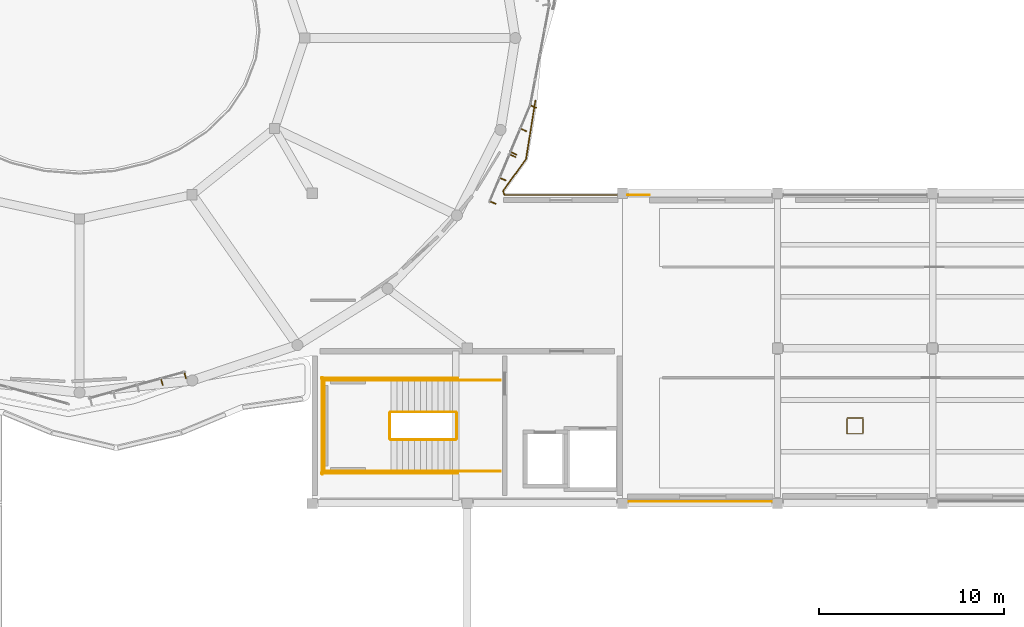
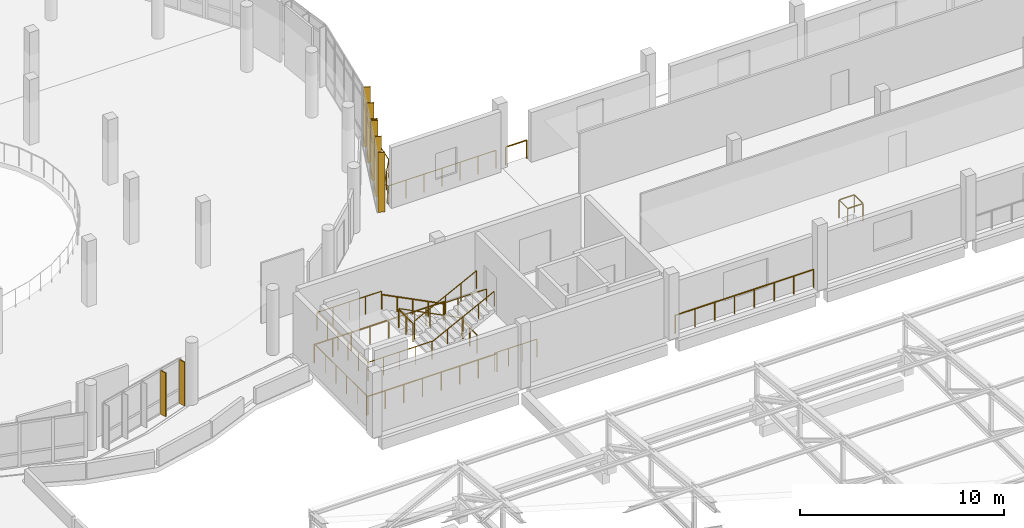
# One storey, part 67 of 74: 18 railings, 8 shading devices.
"""IFC4 building model written with IfcOpenShell, lengths in metres."""

import ifcopenshell
import ifcopenshell.guid

model = None  # the IFC model being written
_history = None  # IfcOwnerHistory: only IFC2X3 demands one
_inside = {}  # id of a spatial element -> (the spatial element, [elements in it])
_under = {}  # id of a project, library or spatial element -> (it, [spatial elements below it])
_declared = {}  # id of a project -> (the project, [libraries it declares])
_typed = {}  # id of a type object -> (the type object, [elements of that type])
_made_of = {}  # id of a material, layer set ... -> (it, [elements and type objects made of it])


def new_model(schema):
    """Start an empty IFC model of exactly this schema.

    Asked for "IFC4X3", IfcOpenShell would pick the latest addendum, in which some entities
    have other attributes; the version numbers below select the first issue.
    IFC2X3 requires an IfcOwnerHistory on every rooted entity: one is made here for all.
    """
    global model, _history
    if schema == "IFC4X3":
        model = ifcopenshell.file(schema_version=(4, 3, 0, 0))
    else:
        model = ifcopenshell.file(schema=schema)
    _inside.clear()
    _under.clear()
    _declared.clear()
    _typed.clear()
    _made_of.clear()
    _history = None
    if model.schema == "IFC2X3":
        org = make("IfcOrganization", Name="unknown")
        user = make(
            "IfcPersonAndOrganization",
            ThePerson=make("IfcPerson", FamilyName="unknown"),
            TheOrganization=org,
        )
        app = make(
            "IfcApplication",
            ApplicationDeveloper=org,
            Version="unknown",
            ApplicationFullName="unknown",
            ApplicationIdentifier="unknown",
        )
        _history = make(
            "IfcOwnerHistory",
            OwningUser=user,
            OwningApplication=app,
            ChangeAction="ADDED",
            CreationDate=0,
        )
    return model


def make(cls, **values):
    """One entity of the class cls with the attributes given. An attribute that is None is left unset."""
    return model.create_entity(
        cls, **{name: value for name, value in values.items() if value is not None}
    )


def rooted(cls, **values):
    """An entity with a GlobalId (a new one), such as an element, a storey or a relation."""
    return make(cls, GlobalId=ifcopenshell.guid.new(), OwnerHistory=_history, **values)


def si_unit(unit_type, name, prefix=None):
    """IfcSIUnit, for example si_unit("LENGTHUNIT", "METRE", prefix="MILLI")."""
    return make("IfcSIUnit", UnitType=unit_type, Prefix=prefix, Name=name)


def derived_unit(unit_type, elements):
    """IfcDerivedUnit: a product of units, each with its exponent."""
    return make(
        "IfcDerivedUnit",
        Elements=[
            make("IfcDerivedUnitElement", Unit=unit, Exponent=power)
            for unit, power in elements
        ],
        UnitType=unit_type,
    )


def assignment(units):
    """IfcUnitAssignment: the units of a project."""
    return None if units is None else make("IfcUnitAssignment", Units=units)


def point(xyz):
    """IfcCartesianPoint."""
    return None if xyz is None else make("IfcCartesianPoint", Coordinates=xyz)


def direction(xyz):
    """IfcDirection."""
    return None if xyz is None else make("IfcDirection", DirectionRatios=xyz)


def frame(location, z_axis=None, x_axis=None):
    """IfcAxis2Placement3D, a coordinate frame: its origin and axes. An axis left out is left unset."""
    return make(
        "IfcAxis2Placement3D",
        Location=point(location),
        Axis=direction(z_axis),
        RefDirection=direction(x_axis),
    )


def frame_2d(location, x_axis=None):
    """IfcAxis2Placement2D, a coordinate frame in the plane: its origin and x axis."""
    return make(
        "IfcAxis2Placement2D", Location=point(location), RefDirection=direction(x_axis)
    )


def origin():
    """The frame at (0, 0, 0) with its axes left unset."""
    return frame((0.0, 0.0, 0.0))


def origin_2d():
    """The frame at (0, 0) in the plane with its x axis left unset."""
    return frame_2d((0.0, 0.0))


def place(relative_to, where):
    """IfcLocalPlacement: puts the frame where relative to a parent placement (None: the world)."""
    return make(
        "IfcLocalPlacement", PlacementRelTo=relative_to, RelativePlacement=where
    )


def context(
    kind, dimensions, precision=None, world=None, true_north=None, identifier=None
):
    """IfcGeometricRepresentationContext, for example the 3D "Model" context."""
    return make(
        "IfcGeometricRepresentationContext",
        ContextIdentifier=identifier,
        ContextType=kind,
        CoordinateSpaceDimension=dimensions,
        Precision=precision,
        WorldCoordinateSystem=world,
        TrueNorth=true_north,
    )


def subcontext(parent, identifier, kind, view, scale=None):
    """IfcGeometricRepresentationSubContext, for example "Body" below "Model"."""
    return make(
        "IfcGeometricRepresentationSubContext",
        ContextIdentifier=identifier,
        ContextType=kind,
        ParentContext=parent,
        TargetScale=scale,
        TargetView=view,
    )


def project(units=None, contexts=None):
    """IfcProject with its units and contexts."""
    return rooted(
        "IfcProject",
        Name="project",
        RepresentationContexts=contexts,
        UnitsInContext=assignment(units),
    )


def spatial(cls, under=None, at=None, **own):
    """A site, building, storey or space (cls), placed at a placement, below another one or the project."""
    s = rooted(cls, ObjectPlacement=at, **own)
    if under is not None:
        _under.setdefault(under.id(), (under, []))[1].append(s)
    return s


def profile(cls, at=None, kind="AREA", **sizes):
    """A parametric profile (cls). Its sizes go by their IFC names, for example OverallWidth=200.0."""
    return make(cls, ProfileType=kind, Position=at, **sizes)


def rectangle(**sizes):
    """IfcRectangleProfileDef."""
    return profile("IfcRectangleProfileDef", **sizes)


def circle(**sizes):
    """IfcCircleProfileDef."""
    return profile("IfcCircleProfileDef", **sizes)


def extrude(swept, where, along, depth):
    """IfcExtrudedAreaSolid: the profile swept, set in the frame where, extruded along a direction by depth."""
    return make(
        "IfcExtrudedAreaSolid",
        SweptArea=swept,
        Position=where,
        ExtrudedDirection=direction(along),
        Depth=depth,
    )


def shape(context_of_items, identifier, shape_type, items):
    """IfcShapeRepresentation: the items that make up one representation, for example the "Body"."""
    return make(
        "IfcShapeRepresentation",
        ContextOfItems=context_of_items,
        RepresentationIdentifier=identifier,
        RepresentationType=shape_type,
        Items=items,
    )


def material(Name=None, Category=None):
    """IfcMaterial."""
    return make("IfcMaterial", Name=Name, Category=Category)


def made_of(thing, what):
    """Note that an element or type object is made of a material, layer set ...; save() writes the relation."""
    if what is not None:
        _made_of.setdefault(what.id(), (what, []))[1].append(thing)
    return thing


def type_object(cls, material=None, **own):
    """A type object (cls), such as IfcWallType, which elements share."""
    return made_of(rooted(cls, **own), material)


def element(
    cls,
    number,
    at=None,
    inside=None,
    cuts=None,
    type_object=None,
    material=None,
    context=None,
    identifier="Body",
    shape_type=None,
    held_by="IfcProductDefinitionShape",
    body=None,
    shapes=None,
    **own,
):
    """One element of the class cls, such as IfcWall. Its Tag is "e" and its number.

    at: its placement. inside: the storey or other place that contains it. cuts: it is an
    opening in that element (IfcRelVoidsElement). A single representation is given by context,
    identifier, shape_type and body (its items); several are given by shapes. held_by: the class
    of the entity that holds the representations. save() writes the other relations.
    """
    e = rooted(cls, Tag="e%d" % number, ObjectPlacement=at, **own)
    if body is not None:
        shapes = [shape(context, identifier, shape_type, body)]
    if shapes is not None:
        e.Representation = make(held_by, Representations=shapes)
    if inside is not None:
        _inside.setdefault(inside.id(), (inside, []))[1].append(e)
    if cuts is not None:
        rooted(
            "IfcRelVoidsElement", RelatingBuildingElement=cuts, RelatedOpeningElement=e
        )
    if type_object is not None:
        _typed.setdefault(type_object.id(), (type_object, []))[1].append(e)
    return made_of(e, material)


def aggregate(whole, parts):
    """IfcRelAggregates: a whole, such as a stair, and the parts it consists of."""
    return rooted("IfcRelAggregates", RelatingObject=whole, RelatedObjects=parts)


def save(model, path):
    """Write the relations noted so far, then the file.

    IfcRelAggregates (storeys below a building ...), IfcRelContainedInSpatialStructure (elements
    in a storey), IfcRelDefinesByType, IfcRelAssociatesMaterial and IfcRelDeclares: one each for
    every whole, place, type object, material and project.
    """
    for whole, parts in _under.values():
        aggregate(whole, parts)
    for where, things in _inside.values():
        rooted(
            "IfcRelContainedInSpatialStructure",
            RelatedElements=things,
            RelatingStructure=where,
        )
    for kind, things in _typed.values():
        rooted("IfcRelDefinesByType", RelatedObjects=things, RelatingType=kind)
    for what, things in _made_of.values():
        rooted("IfcRelAssociatesMaterial", RelatedObjects=things, RelatingMaterial=what)
    for by, libraries in _declared.values():
        rooted("IfcRelDeclares", RelatingContext=by, RelatedDefinitions=libraries)
    model.write(path)


model = new_model("IFC4")

# Units and contexts
model_context = context("Model", 3, precision=1e-05, world=origin(), true_north=direction((0.0, 1.0)))
body_context = subcontext(model_context, "Body", "Model", "MODEL_VIEW")
ifc_project = project(units=[si_unit("LENGTHUNIT", "METRE"), si_unit("AREAUNIT", "SQUARE_METRE"), si_unit("VOLUMEUNIT", "CUBIC_METRE"), si_unit("PLANEANGLEUNIT", "RADIAN"), si_unit("MASSUNIT", "GRAM", prefix="KILO"), derived_unit("THERMALTRANSMITTANCEUNIT", [(si_unit("POWERUNIT", "WATT"), 1), (si_unit("LENGTHUNIT", "METRE"), -2), (si_unit("THERMODYNAMICTEMPERATUREUNIT", "KELVIN"), -1)])], contexts=[model_context])

# Site, building, storey
site_placement = place(None, origin())
site = spatial("IfcSite", under=ifc_project, at=site_placement, CompositionType="ELEMENT")
building_placement = place(site_placement, origin())
building = spatial("IfcBuilding", under=site, at=building_placement, Name="Elbkamm Science Centre", CompositionType="ELEMENT")
storey_placement = place(building_placement, frame((0.0, 0.0, 14.39990234375)))
storey = spatial("IfcBuildingStorey", under=building, at=storey_placement, Name="L03", CompositionType="ELEMENT", Elevation=14.39990234375)

# Railings
ifc_material_1 = material(Name="Stainless steel EN 1.4401", Category="steel")
railing_type_1 = type_object("IfcRailingType", Name="RAIL-EXT-GUARD-1100", PredefinedType="GUARDRAIL", material=ifc_material_1)
railing_1_placement = place(storey_placement, frame((87.685791015625, 63.808349609375, 0.0)))
element("IfcRailing", 1, at=railing_1_placement, inside=storey, type_object=railing_type_1, Name="L03 Slab Edge Perimeter Guard 081", PredefinedType="GUARDRAIL", context=body_context, shape_type="SweptSolid", body=[
    extrude(circle(Radius=0.02392578125, at=origin_2d()), frame((0.0, 0.0, 1.078125), z_axis=(-0.157404246796, -0.987534254135, 0.0), x_axis=(0.987534254135, -0.157404246796, 0.0)), (0.0, 0.0, 1.0), 3.169921875),
    extrude(circle(Radius=0.02392578125, at=origin_2d()), frame((-0.521240234375, -3.184326171875, 1.078125), z_axis=(-0.584769979822, -0.811199156002, 0.0), x_axis=(0.811199156002, -0.584769979822, 0.0)), (0.0, 0.0, 1.0), 2.068359375),
    extrude(circle(Radius=0.02392578125, at=origin_2d()), frame((-1.73779296875, -4.91455078125, 1.078125), z_axis=(0.348523067901, -0.937300203319, 0.0), x_axis=(0.937300203319, 0.348523067901, 0.0)), (0.0, 0.0, 1.0), 0.1767578125),
    extrude(circle(Radius=0.02392578125, at=origin_2d()), frame((-1.6357421875, -5.1083984375, 1.078125), z_axis=(1.0, 0.0, 0.0), x_axis=(0.0, 1.0, 0.0)), (0.0, 0.0, 1.0), 6.070068359375),
    extrude(circle(Radius=0.02001953125, at=origin_2d()), origin(), (0.0, 0.0, 1.0), 1.048095703125),
    extrude(circle(Radius=0.02001953125, at=origin_2d()), frame((-0.16796875, -1.05322265625, 0.0)), (0.0, 0.0, 1.0), 1.048095703125),
    extrude(circle(Radius=0.02001953125, at=origin_2d()), frame((-0.335693359375, -2.106689453125, 0.0)), (0.0, 0.0, 1.0), 1.048095703125),
    extrude(circle(Radius=0.02001953125, at=origin_2d()), frame((-0.503662109375, -3.159912109375, 0.0)), (0.0, 0.0, 1.0), 1.048095703125),
    extrude(circle(Radius=0.02001953125, at=origin_2d()), frame((-1.1259765625, -4.023193359375, 0.0)), (0.0, 0.0, 1.0), 1.048095703125),
    extrude(circle(Radius=0.02001953125, at=origin_2d()), frame((-1.748291015625, -4.886474609375, 0.0)), (0.0, 0.0, 1.0), 1.048095703125),
    extrude(circle(Radius=0.02001953125, at=origin_2d()), frame((-1.665771484375, -5.1083984375, 0.0)), (0.0, 0.0, 1.0), 1.048095703125),
    extrude(circle(Radius=0.02001953125, at=origin_2d()), frame((-0.649169921875, -5.1083984375, 0.0)), (0.0, 0.0, 1.0), 1.048095703125),
    extrude(circle(Radius=0.02001953125, at=origin_2d()), frame((0.36767578125, -5.1083984375, 0.0)), (0.0, 0.0, 1.0), 1.048095703125),
    extrude(circle(Radius=0.02001953125, at=origin_2d()), frame((1.38427734375, -5.1083984375, 0.0)), (0.0, 0.0, 1.0), 1.048095703125),
    extrude(circle(Radius=0.02001953125, at=origin_2d()), frame((2.40087890625, -5.1083984375, 0.0)), (0.0, 0.0, 1.0), 1.048095703125),
    extrude(circle(Radius=0.02001953125, at=origin_2d()), frame((3.417724609375, -5.1083984375, 0.0)), (0.0, 0.0, 1.0), 1.048095703125),
    extrude(circle(Radius=0.02001953125, at=origin_2d()), frame((4.434326171875, -5.1083984375, 0.0)), (0.0, 0.0, 1.0), 1.048095703125),
])
railing_2_placement = place(storey_placement, frame((92.679931640625, 58.699951171875, 0.0)))
element("IfcRailing", 2, at=railing_2_placement, inside=storey, type_object=railing_type_1, Name="L03 Slab Edge Perimeter Guard 082", PredefinedType="GUARDRAIL", context=body_context, shape_type="SweptSolid", body=[
    extrude(circle(Radius=0.02392578125, at=origin_2d()), frame((0.0, 0.0, 1.078125), z_axis=(1.0, 0.0, 0.0), x_axis=(0.0, 1.0, 0.0)), (0.0, 0.0, 1.0), 1.1884765625),
    extrude(circle(Radius=0.02001953125, at=origin_2d()), origin(), (0.0, 0.0, 1.0), 1.048095703125),
    extrude(circle(Radius=0.02001953125, at=origin_2d()), frame((1.1884765625, 0.0, 0.0)), (0.0, 0.0, 1.0), 1.048095703125),
])
railing_3_placement = place(storey_placement, frame((100.52001953125, 42.10009765625, 0.0)))
element("IfcRailing", 3, at=railing_3_placement, inside=storey, type_object=railing_type_1, Name="L03 Slab Edge Perimeter Guard 091", PredefinedType="GUARDRAIL", context=body_context, shape_type="SweptSolid", body=[
    extrude(circle(Radius=0.02392578125, at=origin_2d()), frame((0.0, 0.0, 1.078125), z_axis=(-1.0, 0.0, 0.0), x_axis=(0.0, -1.0, 0.0)), (0.0, 0.0, 1.0), 7.840087890625),
    extrude(circle(Radius=0.02001953125, at=origin_2d()), origin(), (0.0, 0.0, 1.0), 1.048095703125),
    extrude(circle(Radius=0.02001953125, at=origin_2d()), frame((-1.1201171875, 0.0, 0.0)), (0.0, 0.0, 1.0), 1.048095703125),
    extrude(circle(Radius=0.02001953125, at=origin_2d()), frame((-2.239990234375, 0.0, 0.0)), (0.0, 0.0, 1.0), 1.048095703125),
    extrude(circle(Radius=0.02001953125, at=origin_2d()), frame((-3.360107421875, 0.0, 0.0)), (0.0, 0.0, 1.0), 1.048095703125),
    extrude(circle(Radius=0.02001953125, at=origin_2d()), frame((-4.47998046875, 0.0, 0.0)), (0.0, 0.0, 1.0), 1.048095703125),
    extrude(circle(Radius=0.02001953125, at=origin_2d()), frame((-5.60009765625, 0.0, 0.0)), (0.0, 0.0, 1.0), 1.048095703125),
    extrude(circle(Radius=0.02001953125, at=origin_2d()), frame((-6.719970703125, 0.0, 0.0)), (0.0, 0.0, 1.0), 1.048095703125),
    extrude(circle(Radius=0.02001953125, at=origin_2d()), frame((-7.840087890625, 0.0, 0.0)), (0.0, 0.0, 1.0), 1.048095703125),
])
railing_type_2 = type_object("IfcRailingType", Name="RAIL-GUARD-1100", PredefinedType="GUARDRAIL", material=ifc_material_1)
railing_4_placement = place(storey_placement, frame((83.3798828125, 46.949951171875, 0.16259765625)))
element("IfcRailing", 4, at=railing_4_placement, inside=storey, type_object=railing_type_2, Name="L03 ST-C2 stair guard 1", PredefinedType="GUARDRAIL", context=body_context, shape_type="SweptSolid", body=[
    extrude(circle(Radius=0.02392578125, at=origin_2d()), frame((0.0, 0.0, 1.078125), z_axis=(-0.891601855541, 0.0, 0.452820197425), x_axis=(0.0, -1.0, 0.0)), (0.0, 0.0, 1.0), 3.94775390625),
    extrude(circle(Radius=0.02001953125, at=origin_2d()), origin(), (0.0, 0.0, 1.0), 1.048095703125),
    extrude(circle(Radius=0.02001953125, at=origin_2d()), frame((-0.8798828125, 0.0, 0.44677734375)), (0.0, 0.0, 1.0), 1.048095703125),
    extrude(circle(Radius=0.02001953125, at=origin_2d()), frame((-1.759765625, 0.0, 0.893798828125)), (0.0, 0.0, 1.0), 1.048095703125),
    extrude(circle(Radius=0.02001953125, at=origin_2d()), frame((-2.639892578125, 0.0, 1.3408203125)), (0.0, 0.0, 1.0), 1.048095703125),
    extrude(circle(Radius=0.02001953125, at=origin_2d()), frame((-3.519775390625, 0.0, 1.78759765625)), (0.0, 0.0, 1.0), 1.048095703125),
])
railing_5_placement = place(storey_placement, frame((79.81005859375, 46.89990234375, 1.9501953125)))
element("IfcRailing", 5, at=railing_5_placement, inside=storey, type_object=railing_type_2, Name="L03 ST-C2 stair guard 2", PredefinedType="GUARDRAIL", context=body_context, shape_type="SweptSolid", body=[
    extrude(circle(Radius=0.02392578125, at=origin_2d()), frame((0.0, 0.0, 1.078125), z_axis=(0.0, -1.0, 0.0), x_axis=(1.0, 0.0, 0.0)), (0.0, 0.0, 1.0), 1.39990234375),
    extrude(circle(Radius=0.02001953125, at=origin_2d()), origin(), (0.0, 0.0, 1.0), 1.048095703125),
    extrude(circle(Radius=0.02001953125, at=origin_2d()), frame((0.0, -0.699951171875, 0.0)), (0.0, 0.0, 1.0), 1.048095703125),
    extrude(circle(Radius=0.02001953125, at=origin_2d()), frame((0.0, -1.39990234375, 0.0)), (0.0, 0.0, 1.0), 1.048095703125),
])
for number, where, name in (
    (6, (79.860107421875, 48.669921875, 1.9501953125), "L03 ST-C2 stair guard 3"),
    (7, (79.860107421875, 43.72998046875, 1.9501953125), "L03 ST-C2 stair guard 4"),
):
    element("IfcRailing", number, at=place(storey_placement, frame(where)), inside=storey, type_object=railing_type_2, Name=name, PredefinedType="GUARDRAIL", context=body_context, shape_type="SweptSolid", body=[
        extrude(circle(Radius=0.02392578125, at=origin_2d()), frame((0.0, 0.0, 1.078125), z_axis=(-1.0, 0.0, 0.0), x_axis=(0.0, -1.0, 0.0)), (0.0, 0.0, 1.0), 3.66015625),
        extrude(circle(Radius=0.02001953125, at=origin_2d()), origin(), (0.0, 0.0, 1.0), 1.048095703125),
        extrude(circle(Radius=0.02001953125, at=origin_2d()), frame((-0.9150390625, 0.0, 0.0)), (0.0, 0.0, 1.0), 1.048095703125),
        extrude(circle(Radius=0.02001953125, at=origin_2d()), frame((-1.830078125, 0.0, 0.0)), (0.0, 0.0, 1.0), 1.048095703125),
        extrude(circle(Radius=0.02001953125, at=origin_2d()), frame((-2.7451171875, 0.0, 0.0)), (0.0, 0.0, 1.0), 1.048095703125),
        extrude(circle(Radius=0.02001953125, at=origin_2d()), frame((-3.66015625, 0.0, 0.0)), (0.0, 0.0, 1.0), 1.048095703125),
    ])
railing_6_placement = place(storey_placement, frame((76.25, 48.719970703125, 1.9501953125)))
element("IfcRailing", 8, at=railing_6_placement, inside=storey, type_object=railing_type_2, Name="L03 ST-C2 stair guard 5", PredefinedType="GUARDRAIL", context=body_context, shape_type="SweptSolid", body=[
    extrude(circle(Radius=0.02392578125, at=origin_2d()), frame((0.0, 0.0, 1.078125), z_axis=(0.0, -1.0, 0.0), x_axis=(1.0, 0.0, 0.0)), (0.0, 0.0, 1.0), 5.0400390625),
    extrude(circle(Radius=0.02001953125, at=origin_2d()), origin(), (0.0, 0.0, 1.0), 1.048095703125),
    extrude(circle(Radius=0.02001953125, at=origin_2d()), frame((0.0, -1.008056640625, 0.0)), (0.0, 0.0, 1.0), 1.048095703125),
    extrude(circle(Radius=0.02001953125, at=origin_2d()), frame((0.0, -2.01611328125, 0.0)), (0.0, 0.0, 1.0), 1.048095703125),
    extrude(circle(Radius=0.02001953125, at=origin_2d()), frame((0.0, -3.02392578125, 0.0)), (0.0, 0.0, 1.0), 1.048095703125),
    extrude(circle(Radius=0.02001953125, at=origin_2d()), frame((0.0, -4.031982421875, 0.0)), (0.0, 0.0, 1.0), 1.048095703125),
    extrude(circle(Radius=0.02001953125, at=origin_2d()), frame((0.0, -5.0400390625, 0.0)), (0.0, 0.0, 1.0), 1.048095703125),
])
railing_7_placement = place(storey_placement, frame((79.860107421875, 45.449951171875, 2.112548828125)))
element("IfcRailing", 9, at=railing_7_placement, inside=storey, type_object=railing_type_2, Name="L03 ST-C2 stair guard 6", PredefinedType="GUARDRAIL", context=body_context, shape_type="SweptSolid", body=[
    extrude(circle(Radius=0.02392578125, at=origin_2d()), frame((0.0, 0.0, 1.078125), z_axis=(0.891601855541, 0.0, 0.452820197425), x_axis=(0.0, 1.0, 0.0)), (0.0, 0.0, 1.0), 3.94775390625),
    extrude(circle(Radius=0.02001953125, at=origin_2d()), origin(), (0.0, 0.0, 1.0), 1.048095703125),
    extrude(circle(Radius=0.02001953125, at=origin_2d()), frame((0.8798828125, 0.0, 0.44677734375)), (0.0, 0.0, 1.0), 1.048095703125),
    extrude(circle(Radius=0.02001953125, at=origin_2d()), frame((1.759765625, 0.0, 0.893798828125)), (0.0, 0.0, 1.0), 1.048095703125),
    extrude(circle(Radius=0.02001953125, at=origin_2d()), frame((2.639892578125, 0.0, 1.3408203125)), (0.0, 0.0, 1.0), 1.048095703125),
    extrude(circle(Radius=0.02001953125, at=origin_2d()), frame((3.519775390625, 0.0, 1.78759765625)), (0.0, 0.0, 1.0), 1.048095703125),
])
railing_8_placement = place(storey_placement, frame((83.429931640625, 46.89990234375, 0.0)))
element("IfcRailing", 10, at=railing_8_placement, inside=storey, type_object=railing_type_2, Name="L03 ST-C2 stair guard 7", PredefinedType="GUARDRAIL", context=body_context, shape_type="SweptSolid", body=[
    extrude(circle(Radius=0.02392578125, at=origin_2d()), frame((0.0, 0.0, 1.078125), z_axis=(0.0, -1.0, 0.0), x_axis=(1.0, 0.0, 0.0)), (0.0, 0.0, 1.0), 1.39990234375),
    extrude(circle(Radius=0.02001953125, at=origin_2d()), origin(), (0.0, 0.0, 1.0), 1.048095703125),
    extrude(circle(Radius=0.02001953125, at=origin_2d()), frame((0.0, -0.699951171875, 0.0)), (0.0, 0.0, 1.0), 1.048095703125),
    extrude(circle(Radius=0.02001953125, at=origin_2d()), frame((0.0, -1.39990234375, 0.0)), (0.0, 0.0, 1.0), 1.048095703125),
])
for number, where, name in (
    (11, (85.800048828125, 48.669921875, 0.0), "L03 ST-C2 stair guard 8"),
    (12, (85.800048828125, 43.72998046875, 0.0), "L03 ST-C2 stair guard 9"),
):
    element("IfcRailing", number, at=place(storey_placement, frame(where)), inside=storey, type_object=railing_type_2, Name=name, PredefinedType="GUARDRAIL", context=body_context, shape_type="SweptSolid", body=[
        extrude(circle(Radius=0.02392578125, at=origin_2d()), frame((0.0, 0.0, 1.078125), z_axis=(-1.0, 0.0, 0.0), x_axis=(0.0, -1.0, 0.0)), (0.0, 0.0, 1.0), 2.420166015625),
        extrude(circle(Radius=0.02001953125, at=origin_2d()), origin(), (0.0, 0.0, 1.0), 1.048095703125),
        extrude(circle(Radius=0.02001953125, at=origin_2d()), frame((-0.806640625, 0.0, 0.0)), (0.0, 0.0, 1.0), 1.048095703125),
        extrude(circle(Radius=0.02001953125, at=origin_2d()), frame((-1.613525390625, 0.0, 0.0)), (0.0, 0.0, 1.0), 1.048095703125),
        extrude(circle(Radius=0.02001953125, at=origin_2d()), frame((-2.420166015625, 0.0, 0.0)), (0.0, 0.0, 1.0), 1.048095703125),
    ])
for number, where, name in (
    (13, (83.47998046875, 48.77001953125, 0.0), "L03 ST-C2 stair guard 10"),
    (14, (83.47998046875, 43.6298828125, 0.0), "L03 ST-C2 stair guard 11"),
):
    element("IfcRailing", number, at=place(storey_placement, frame(where)), inside=storey, type_object=railing_type_2, Name=name, PredefinedType="GUARDRAIL", context=body_context, shape_type="SweptSolid", body=[
        extrude(circle(Radius=0.02392578125, at=origin_2d()), frame((0.0, 0.0, 1.078125), z_axis=(-1.0, 0.0, 0.0), x_axis=(0.0, -1.0, 0.0)), (0.0, 0.0, 1.0), 7.3798828125),
        extrude(circle(Radius=0.02001953125, at=origin_2d()), origin(), (0.0, 0.0, 1.0), 1.048095703125),
        extrude(circle(Radius=0.02001953125, at=origin_2d()), frame((-1.05419921875, 0.0, 0.0)), (0.0, 0.0, 1.0), 1.048095703125),
        extrude(circle(Radius=0.02001953125, at=origin_2d()), frame((-2.108642578125, 0.0, 0.0)), (0.0, 0.0, 1.0), 1.048095703125),
        extrude(circle(Radius=0.02001953125, at=origin_2d()), frame((-3.162841796875, 0.0, 0.0)), (0.0, 0.0, 1.0), 1.048095703125),
        extrude(circle(Radius=0.02001953125, at=origin_2d()), frame((-4.217041015625, 0.0, 0.0)), (0.0, 0.0, 1.0), 1.048095703125),
        extrude(circle(Radius=0.02001953125, at=origin_2d()), frame((-5.271240234375, 0.0, 0.0)), (0.0, 0.0, 1.0), 1.048095703125),
        extrude(circle(Radius=0.02001953125, at=origin_2d()), frame((-6.32568359375, 0.0, 0.0)), (0.0, 0.0, 1.0), 1.048095703125),
        extrude(circle(Radius=0.02001953125, at=origin_2d()), frame((-7.3798828125, 0.0, 0.0)), (0.0, 0.0, 1.0), 1.048095703125),
    ])
railing_9_placement = place(storey_placement, frame((76.14990234375, 48.820068359375, 0.0)))
element("IfcRailing", 15, at=railing_9_placement, inside=storey, type_object=railing_type_2, Name="L03 ST-C2 stair guard 12", PredefinedType="GUARDRAIL", context=body_context, shape_type="SweptSolid", body=[
    extrude(circle(Radius=0.02392578125, at=origin_2d()), frame((0.0, 0.0, 1.078125), z_axis=(0.0, -1.0, 0.0), x_axis=(1.0, 0.0, 0.0)), (0.0, 0.0, 1.0), 5.239990234375),
    extrude(circle(Radius=0.02001953125, at=origin_2d()), origin(), (0.0, 0.0, 1.0), 1.048095703125),
    extrude(circle(Radius=0.02001953125, at=origin_2d()), frame((0.0, -1.048095703125, 0.0)), (0.0, 0.0, 1.0), 1.048095703125),
    extrude(circle(Radius=0.02001953125, at=origin_2d()), frame((0.0, -2.095947265625, 0.0)), (0.0, 0.0, 1.0), 1.048095703125),
    extrude(circle(Radius=0.02001953125, at=origin_2d()), frame((0.0, -3.14404296875, 0.0)), (0.0, 0.0, 1.0), 1.048095703125),
    extrude(circle(Radius=0.02001953125, at=origin_2d()), frame((0.0, -4.19189453125, 0.0)), (0.0, 0.0, 1.0), 1.048095703125),
    extrude(circle(Radius=0.02001953125, at=origin_2d()), frame((0.0, -5.239990234375, 0.0)), (0.0, 0.0, 1.0), 1.048095703125),
])
railing_10_placement = place(storey_placement, frame((104.570068359375, 45.77001953125, 0.0)))
element("IfcRailing", 16, at=railing_10_placement, inside=storey, type_object=railing_type_2, Name="L03 Service Riser Opening Guardrail 021", PredefinedType="GUARDRAIL", context=body_context, shape_type="SweptSolid", body=[
    extrude(circle(Radius=0.02392578125, at=origin_2d()), frame((0.0, 0.0, 1.078125), z_axis=(1.0, 0.0, 0.0), x_axis=(0.0, 1.0, 0.0)), (0.0, 0.0, 1.0), 0.829833984375),
    extrude(circle(Radius=0.02392578125, at=origin_2d()), frame((0.85986328125, 0.030029296875, 1.078125), z_axis=(0.0, 1.0, 0.0), x_axis=(-1.0, 0.0, 0.0)), (0.0, 0.0, 1.0), 0.7998046875),
    extrude(circle(Radius=0.02392578125, at=origin_2d()), frame((0.829833984375, 0.85986328125, 1.078125), z_axis=(-1.0, 0.0, 0.0), x_axis=(0.0, -1.0, 0.0)), (0.0, 0.0, 1.0), 0.7998046875),
    extrude(circle(Radius=0.02392578125, at=origin_2d()), frame((0.0, 0.829833984375, 1.078125), z_axis=(0.0, -1.0, 0.0), x_axis=(1.0, 0.0, 0.0)), (0.0, 0.0, 1.0), 0.829833984375),
    extrude(circle(Radius=0.02001953125, at=origin_2d()), origin(), (0.0, 0.0, 1.0), 1.048095703125),
    extrude(circle(Radius=0.02001953125, at=origin_2d()), frame((0.85986328125, 0.0, 0.0)), (0.0, 0.0, 1.0), 1.048095703125),
    extrude(circle(Radius=0.02001953125, at=origin_2d()), frame((0.85986328125, 0.85986328125, 0.0)), (0.0, 0.0, 1.0), 1.048095703125),
    extrude(circle(Radius=0.02001953125, at=origin_2d()), frame((0.0, 0.85986328125, 0.0)), (0.0, 0.0, 1.0), 1.048095703125),
])
railing_type_3 = type_object("IfcRailingType", Name="RAIL-HAND-900", PredefinedType="HANDRAIL", material=ifc_material_1)
railing_11_placement = place(storey_placement, frame((83.3798828125, 48.669921875, 0.16259765625)))
element("IfcRailing", 17, at=railing_11_placement, inside=storey, type_object=railing_type_3, Name="L03 ST-C2 stair handrail 1", PredefinedType="HANDRAIL", context=body_context, shape_type="SweptSolid", body=[
    extrude(circle(Radius=0.02392578125, at=origin_2d()), frame((0.0, 0.0, 0.8779296875), z_axis=(-0.891601855541, 0.0, 0.452820197425), x_axis=(0.0, -1.0, 0.0)), (0.0, 0.0, 1.0), 3.94775390625),
    extrude(circle(Radius=0.02001953125, at=origin_2d()), origin(), (0.0, 0.0, 1.0), 0.847900390625),
    extrude(circle(Radius=0.02001953125, at=origin_2d()), frame((-0.8798828125, 0.0, 0.44677734375)), (0.0, 0.0, 1.0), 0.847900390625),
    extrude(circle(Radius=0.02001953125, at=origin_2d()), frame((-1.759765625, 0.0, 0.893798828125)), (0.0, 0.0, 1.0), 0.847900390625),
    extrude(circle(Radius=0.02001953125, at=origin_2d()), frame((-2.639892578125, 0.0, 1.3408203125)), (0.0, 0.0, 1.0), 0.847900390625),
    extrude(circle(Radius=0.02001953125, at=origin_2d()), frame((-3.519775390625, 0.0, 1.78759765625)), (0.0, 0.0, 1.0), 0.847900390625),
])
railing_12_placement = place(storey_placement, frame((79.860107421875, 43.72998046875, 2.112548828125)))
element("IfcRailing", 18, at=railing_12_placement, inside=storey, type_object=railing_type_3, Name="L03 ST-C2 stair handrail 2", PredefinedType="HANDRAIL", context=body_context, shape_type="SweptSolid", body=[
    extrude(circle(Radius=0.02392578125, at=origin_2d()), frame((0.0, 0.0, 0.8779296875), z_axis=(0.891601855541, 0.0, 0.452820197425), x_axis=(0.0, 1.0, 0.0)), (0.0, 0.0, 1.0), 3.94775390625),
    extrude(circle(Radius=0.02001953125, at=origin_2d()), origin(), (0.0, 0.0, 1.0), 0.847900390625),
    extrude(circle(Radius=0.02001953125, at=origin_2d()), frame((0.8798828125, 0.0, 0.44677734375)), (0.0, 0.0, 1.0), 0.847900390625),
    extrude(circle(Radius=0.02001953125, at=origin_2d()), frame((1.759765625, 0.0, 0.893798828125)), (0.0, 0.0, 1.0), 0.847900390625),
    extrude(circle(Radius=0.02001953125, at=origin_2d()), frame((2.639892578125, 0.0, 1.3408203125)), (0.0, 0.0, 1.0), 0.847900390625),
    extrude(circle(Radius=0.02001953125, at=origin_2d()), frame((3.519775390625, 0.0, 1.78759765625)), (0.0, 0.0, 1.0), 0.847900390625),
])

# Shading devices
ifc_material_2 = material(Name="Terracotta-ochre powder-coated aluminium EN AW-6060", Category="masonry")
shading_device_type_1 = type_object("IfcShadingDeviceType", Name="SHD-LOUVRE-350", PredefinedType="USERDEFINED", material=ifc_material_2)
for number, where, z_axis, x_axis, name in (
    (19, (67.45947265625, 48.572265625, 0.0), (0.0, 0.0, 1.0), (0.265729427578, -0.964047649922, 0.0), "L03 Brise-Soleil Sunshade Fin 0114"),
    (20, (68.72119140625, 48.920166015625, 0.0), (0.0, 0.0, 1.0), (0.265729427578, -0.964047649922, 0.0), "L03 Brise-Soleil Sunshade Fin 0115"),
):
    element("IfcShadingDevice", number, at=place(storey_placement, frame(where, z_axis=z_axis, x_axis=x_axis)), inside=storey, type_object=shading_device_type_1, Name=name, ObjectType="LOUVRE", PredefinedType="USERDEFINED", context=body_context, shape_type="SweptSolid", body=[
        extrude(rectangle(XDim=0.35009765625, YDim=0.050048828125, at=origin_2d()), origin(), (0.0, 0.0, 1.0), 2.6201171875),
    ])
shading_device_type_2 = type_object("IfcShadingDeviceType", Name="SHD-LOUVRE-420", PredefinedType="USERDEFINED", material=ifc_material_2)
for number, where, z_axis, x_axis, name in (
    (21, (85.398193359375, 58.284423828125, 0.0), (0.0, 0.0, 1.0), (0.921677051283, -0.387958004349, 0.0), "L03 Brise-Soleil Sunshade Fin 0116"),
    (22, (85.931884765625, 59.552734375, 0.0), (0.0, 0.0, 1.0), (0.921677051283, -0.387958004349, 0.0), "L03 Brise-Soleil Sunshade Fin 0117"),
    (23, (86.4658203125, 60.821044921875, 0.0), (0.0, 0.0, 1.0), (0.921677051283, -0.387958004349, 0.0), "L03 Brise-Soleil Sunshade Fin 0118"),
    (24, (86.520263671875, 60.9501953125, 0.0), (0.0, 0.0, 1.0), (0.921677051283, -0.387958004349, 0.0), "L03 Brise-Soleil Sunshade Fin 0119"),
    (25, (87.05419921875, 62.218505859375, 0.0), (0.0, 0.0, 1.0), (0.921677051283, -0.387958004349, 0.0), "L03 Brise-Soleil Sunshade Fin 0120"),
    (26, (87.587890625, 63.48681640625, 0.0), (0.0, 0.0, 1.0), (0.921677051283, -0.387958004349, 0.0), "L03 Brise-Soleil Sunshade Fin 0121"),
):
    element("IfcShadingDevice", number, at=place(storey_placement, frame(where, z_axis=z_axis, x_axis=x_axis)), inside=storey, type_object=shading_device_type_2, Name=name, ObjectType="LOUVRE", PredefinedType="USERDEFINED", context=body_context, shape_type="SweptSolid", body=[
        extrude(rectangle(XDim=0.35009765625, YDim=0.050048828125, at=origin_2d()), origin(), (0.0, 0.0, 1.0), 3.570068359375),
    ])

save(model, "model.ifc")
